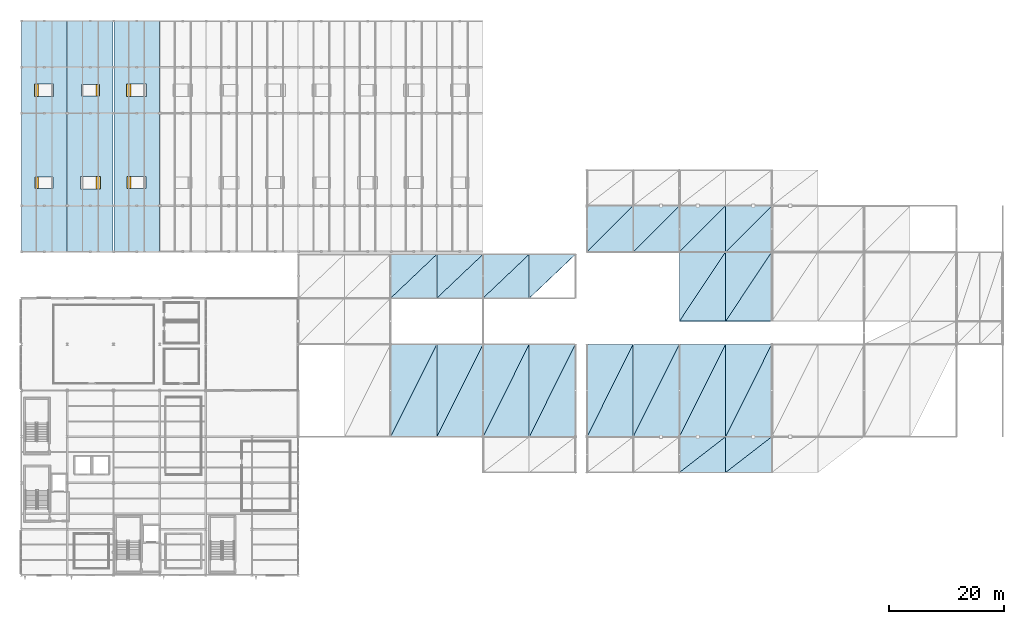
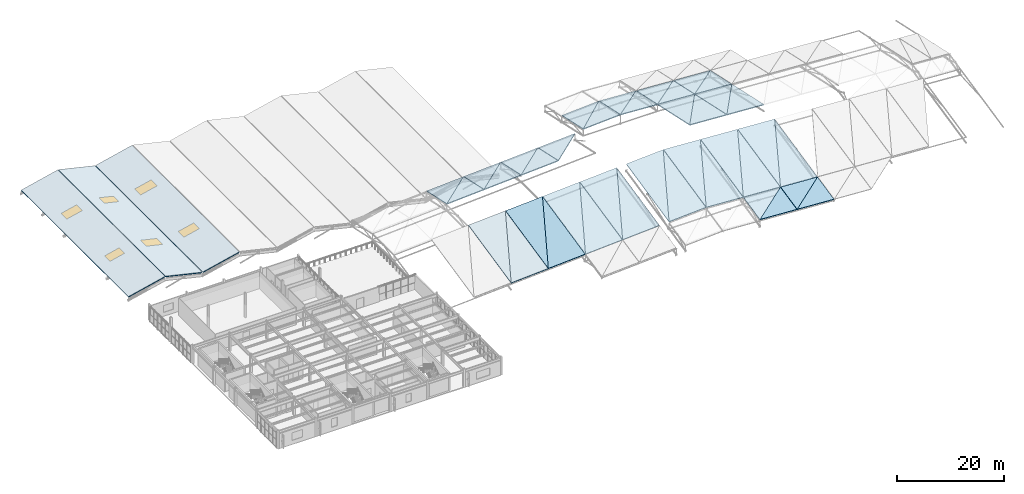
# One storey, part 37 of 67: 42 slabs, 6 windows, 6 openings.
"""IFC4 building model written with IfcOpenShell, lengths in metres."""

from ifc_helpers import new_model, si_unit, direction, frame, origin, origin_2d, place, context, subcontext, project, spatial, polyline, rectangle, outline, extrude, material, layer, layer_set, type_object, element, fill, save


model = new_model("IFC4")

# Units and contexts
model_context = context("Model", 3, precision=1e-05, world=origin(), true_north=direction((0.0, 1.0)))
body_context = subcontext(model_context, "Body", "Model", "MODEL_VIEW")
ifc_project = project(units=[si_unit("LENGTHUNIT", "METRE"), si_unit("AREAUNIT", "SQUARE_METRE"), si_unit("VOLUMEUNIT", "CUBIC_METRE"), si_unit("PLANEANGLEUNIT", "RADIAN"), si_unit("MASSUNIT", "GRAM", prefix="KILO")], contexts=[model_context])

# Site, building, storey
site_placement = place(None, origin())
site = spatial("IfcSite", under=ifc_project, at=site_placement, CompositionType="ELEMENT")
building_placement = place(site_placement, origin())
building = spatial("IfcBuilding", under=site, at=building_placement, Name="Drelvath Fold Interchange", CompositionType="ELEMENT")
storey_placement = place(building_placement, frame((0.0, 0.0, 15.60009765625)))
storey = spatial("IfcBuildingStorey", under=building, at=storey_placement, Name="L03", CompositionType="ELEMENT", Elevation=15.60009765625)

# Slab, openings, windows
ifc_material_1 = material(Name="Concrete f'c 35 MPa (5000 psi)", Category="concrete")
ifc_layer_1 = layer(ifc_material_1, 0.18994140625, Name="Concrete f'c 35 MPa (5000 psi)")
ifc_layer_set_1 = layer_set([ifc_layer_1], Name="Concrete f'c 35 MPa (5000 psi)")
slab_type_1 = type_object("IfcSlabType", Name="RF-FP1", PredefinedType="ROOF", material=ifc_layer_set_1)
slab_1_placement = place(storey_placement, frame((4.054931640625, 59.0, 0.5498046875), z_axis=(-0.228290377814, 0.0, 0.973593089231), x_axis=(0.973593089231, 0.0, 0.228290377814)))
slab_1 = element("IfcSlab", 1, at=slab_1_placement, inside=storey, type_object=slab_type_1, Name="Concourse folded-plate roof slab 1", PredefinedType="ROOF", context=body_context, shape_type="SweptSolid", body=[
    extrude(outline(polyline([(0.0, 0.0), (8.104142075397542, 0.0), (8.104142075397542, 40.00000000000001), (0.0, 40.00000000000001), (0.0, 0.0)])), origin(), (0.0, 0.0, -1.0), 0.18994140625),
])
opening_1_placement = place(slab_1_placement, frame((4.052001953125, 12.0, 0.010009765625)))
opening_1 = element("IfcOpeningElement", 2, at=opening_1_placement, cuts=slab_1, Name="Opening SK-01", PredefinedType="OPENING", context=body_context, shape_type="SweptSolid", body=[
    extrude(rectangle(XDim=3.199951171875, YDim=2.0, at=origin_2d()), origin(), (0.0, 0.0, -1.0), 0.2099609375),
])
opening_2_placement = place(slab_1_placement, frame((4.052001953125, 28.0, 0.010009765625)))
opening_2 = element("IfcOpeningElement", 3, at=opening_2_placement, cuts=slab_1, Name="Opening SK-02", PredefinedType="OPENING", context=body_context, shape_type="SweptSolid", body=[
    extrude(rectangle(XDim=3.39990234375, YDim=2.10009765625, at=origin_2d()), origin(), (0.0, 0.0, -1.0), 0.2099609375),
])
ifc_material_2 = material(Name="Fritted Laminated Skylight Glass", Category="glass")
window_type_1 = type_object("IfcWindowType", Name="SK-320x200", PartitioningType="DOUBLE_PANEL_HORIZONTAL", PredefinedType="SKYLIGHT", material=ifc_material_2)
window_1_placement = place(slab_1_placement, frame((4.052001953125, 12.0, 0.0)))
window_1 = element("IfcWindow", 4, at=window_1_placement, inside=storey, type_object=window_type_1, Name="Roof skylight SK-01", OverallHeight=2.0, OverallWidth=3.199951171875, PartitioningType="SINGLE_PANEL", PredefinedType="SKYLIGHT", context=body_context, shape_type="SweptSolid", body=[
    extrude(rectangle(XDim=3.199951171875, YDim=2.0, at=origin_2d()), origin(), (0.0, 0.0, -1.0), 0.050048828125),
])
fill(opening_1, window_1)
window_type_2 = type_object("IfcWindowType", Name="SK-340x210", PartitioningType="DOUBLE_PANEL_HORIZONTAL", PredefinedType="SKYLIGHT", material=ifc_material_2)
window_2_placement = place(slab_1_placement, frame((4.052001953125, 28.0, 0.0)))
window_2 = element("IfcWindow", 5, at=window_2_placement, inside=storey, type_object=window_type_2, Name="Roof skylight SK-02", OverallHeight=2.10009765625, OverallWidth=3.39990234375, PartitioningType="SINGLE_PANEL", PredefinedType="SKYLIGHT", context=body_context, shape_type="SweptSolid", body=[
    extrude(rectangle(XDim=3.39990234375, YDim=2.10009765625, at=origin_2d()), origin(), (0.0, 0.0, -1.0), 0.050048828125),
])
fill(opening_2, window_2)

slab_2_placement = place(storey_placement, frame((12.054931640625, 59.0, 2.39990234375), z_axis=(0.228290377814, 0.0, 0.973593089231), x_axis=(0.973593089231, 0.0, -0.228290377814)))
slab_2 = element("IfcSlab", 6, at=slab_2_placement, inside=storey, type_object=slab_type_1, Name="Concourse folded-plate roof slab 2", PredefinedType="ROOF", context=body_context, shape_type="SweptSolid", body=[
    extrude(outline(polyline([(0.0, 0.0), (8.104142075397542, 0.0), (8.104142075397542, 40.00000000000001), (0.0, 40.00000000000001), (0.0, 0.0)])), origin(), (0.0, 0.0, -1.0), 0.18994140625),
])
opening_3_placement = place(slab_2_placement, frame((4.052001953125, 12.0, 0.010009765625)))
opening_3 = element("IfcOpeningElement", 7, at=opening_3_placement, cuts=slab_2, Name="Opening SK-03", PredefinedType="OPENING", context=body_context, shape_type="SweptSolid", body=[
    extrude(rectangle(XDim=3.60009765625, YDim=2.199951171875, at=origin_2d()), origin(), (0.0, 0.0, -1.0), 0.2099609375),
])
opening_4_placement = place(slab_2_placement, frame((4.052001953125, 28.0, 0.010009765625)))
opening_4 = element("IfcOpeningElement", 8, at=opening_4_placement, cuts=slab_2, Name="Opening SK-04", PredefinedType="OPENING", context=body_context, shape_type="SweptSolid", body=[
    extrude(rectangle(XDim=3.199951171875, YDim=2.0, at=origin_2d()), origin(), (0.0, 0.0, -1.0), 0.2099609375),
])
window_3_placement = place(slab_2_placement, frame((4.052001953125, 28.0, 0.0)))
window_3 = element("IfcWindow", 9, at=window_3_placement, inside=storey, type_object=window_type_1, Name="Roof skylight SK-04", OverallHeight=2.0, OverallWidth=3.199951171875, PartitioningType="SINGLE_PANEL", PredefinedType="SKYLIGHT", context=body_context, shape_type="SweptSolid", body=[
    extrude(rectangle(XDim=3.199951171875, YDim=2.0, at=origin_2d()), origin(), (0.0, 0.0, -1.0), 0.050048828125),
])
fill(opening_4, window_3)
window_type_3 = type_object("IfcWindowType", Name="SK-360x220", PartitioningType="DOUBLE_PANEL_HORIZONTAL", PredefinedType="SKYLIGHT", material=ifc_material_2)
window_4_placement = place(slab_2_placement, frame((4.052001953125, 12.0, 0.0)))
window_4 = element("IfcWindow", 10, at=window_4_placement, inside=storey, type_object=window_type_3, Name="Roof skylight SK-03", OverallHeight=2.199951171875, OverallWidth=3.60009765625, PartitioningType="SINGLE_PANEL", PredefinedType="SKYLIGHT", context=body_context, shape_type="SweptSolid", body=[
    extrude(rectangle(XDim=3.60009765625, YDim=2.199951171875, at=origin_2d()), origin(), (0.0, 0.0, -1.0), 0.050048828125),
])
fill(opening_3, window_4)

slab_3_placement = place(storey_placement, frame((20.054931640625, 59.0, 0.5498046875), z_axis=(-0.228290377814, 0.0, 0.973593089231), x_axis=(0.973593089231, 0.0, 0.228290377814)))
slab_3 = element("IfcSlab", 11, at=slab_3_placement, inside=storey, type_object=slab_type_1, Name="Concourse folded-plate roof slab 3", PredefinedType="ROOF", context=body_context, shape_type="SweptSolid", body=[
    extrude(outline(polyline([(0.0, 0.0), (8.104142075397542, 0.0), (8.104142075397542, 40.00000000000001), (0.0, 40.00000000000001), (0.0, 0.0)])), origin(), (0.0, 0.0, -1.0), 0.18994140625),
])
opening_5_placement = place(slab_3_placement, frame((4.052001953125, 12.0, 0.010009765625)))
opening_5 = element("IfcOpeningElement", 12, at=opening_5_placement, cuts=slab_3, Name="Opening SK-05", PredefinedType="OPENING", context=body_context, shape_type="SweptSolid", body=[
    extrude(rectangle(XDim=3.39990234375, YDim=2.10009765625, at=origin_2d()), origin(), (0.0, 0.0, -1.0), 0.2099609375),
])
opening_6_placement = place(slab_3_placement, frame((4.052001953125, 28.0, 0.010009765625)))
opening_6 = element("IfcOpeningElement", 13, at=opening_6_placement, cuts=slab_3, Name="Opening SK-06", PredefinedType="OPENING", context=body_context, shape_type="SweptSolid", body=[
    extrude(rectangle(XDim=3.60009765625, YDim=2.199951171875, at=origin_2d()), origin(), (0.0, 0.0, -1.0), 0.2099609375),
])
window_5_placement = place(slab_3_placement, frame((4.052001953125, 12.0, 0.0)))
window_5 = element("IfcWindow", 14, at=window_5_placement, inside=storey, type_object=window_type_2, Name="Roof skylight SK-05", OverallHeight=2.10009765625, OverallWidth=3.39990234375, PartitioningType="SINGLE_PANEL", PredefinedType="SKYLIGHT", context=body_context, shape_type="SweptSolid", body=[
    extrude(rectangle(XDim=3.39990234375, YDim=2.10009765625, at=origin_2d()), origin(), (0.0, 0.0, -1.0), 0.050048828125),
])
fill(opening_5, window_5)
window_6_placement = place(slab_3_placement, frame((4.052001953125, 28.0, 0.0)))
window_6 = element("IfcWindow", 15, at=window_6_placement, inside=storey, type_object=window_type_3, Name="Roof skylight SK-06", OverallHeight=2.199951171875, OverallWidth=3.60009765625, PartitioningType="SINGLE_PANEL", PredefinedType="SKYLIGHT", context=body_context, shape_type="SweptSolid", body=[
    extrude(rectangle(XDim=3.60009765625, YDim=2.199951171875, at=origin_2d()), origin(), (0.0, 0.0, -1.0), 0.050048828125),
])
fill(opening_6, window_6)

# Slabs
ifc_layer_2 = layer(ifc_material_1, 0.169921875, Name="Concrete f'c 35 MPa (5000 psi)")
ifc_layer_set_2 = layer_set([ifc_layer_2], Name="Concrete f'c 35 MPa (5000 psi)")
slab_type_2 = type_object("IfcSlabType", Name="RF-SF1", PredefinedType="ROOF", material=ifc_layer_set_2)
slab_4_placement = place(storey_placement, frame((68.030029296875, 27.030029296875, 0.679931640625), z_axis=(-0.05872238266, -0.212626802128, 0.975367379397), x_axis=(0.998192566997, 0.0, 0.060096582196)))
element("IfcSlab", 16, at=slab_4_placement, inside=storey, type_object=slab_type_2, Name="Space frame canopy sloped roof facet 17", PredefinedType="ROOF", context=body_context, shape_type="SweptSolid", body=[
    extrude(outline(polyline([(0.0, 0.0), (7.954318303667255, 0.0), (8.163145123588297, 16.312962034805828), (0.0, 0.0)])), origin(), (0.0, 0.0, -1.0), 0.169921875),
])
slab_5_placement = place(storey_placement, frame((68.030029296875, 27.030029296875, 0.679931640625), z_axis=(-0.05872238266, -0.212626802128, 0.975367379397), x_axis=(0.435269745672, 0.873831919775, 0.216698002957)))
element("IfcSlab", 17, at=slab_5_placement, inside=storey, type_object=slab_type_2, Name="Space frame canopy sloped roof facet 18", PredefinedType="ROOF", context=body_context, shape_type="SweptSolid", body=[
    extrude(outline(polyline([(0.0, 0.0), (18.24142726482168, -2.7755575615628914e-17), (14.681823417524525, 7.1133958224158444), (0.0, 0.0)])), origin(), (0.0, 0.0, -1.0), 0.169921875),
])
slab_6_placement = place(storey_placement, frame((68.030029296875, 51.030029296875, 4.15478515625), z_axis=(-0.058722228054, 0.212638624378, 0.975364811419), x_axis=(0.998192566997, 0.0, 0.060096582196)))
element("IfcSlab", 18, at=slab_6_placement, inside=storey, type_object=slab_type_2, Name="Space frame canopy sloped roof facet 21", PredefinedType="ROOF", context=body_context, shape_type="SweptSolid", body=[
    extrude(outline(polyline([(0.0, 0.0), (7.954318303667255, 1.3877787807814457e-17), (7.855531612279046, 7.716508591388698), (0.0, 0.0)])), origin(), (0.0, 0.0, -1.0), 0.169921875),
])
slab_7_placement = place(storey_placement, frame((68.030029296875, 51.030029296875, 4.15478515625), z_axis=(-0.058604250562, 0.212519500811, 0.97539786938), x_axis=(0.721056792151, 0.684740113424, -0.105868217899)))
element("IfcSlab", 19, at=slab_7_placement, inside=storey, type_object=slab_type_2, Name="Space frame canopy sloped roof facet 22", PredefinedType="ROOF", context=body_context, shape_type="SweptSolid", body=[
    extrude(outline(polyline([(0.0, 0.0), (11.011534032662798, -4.996003610813204e-16), (5.336889868466109, 5.573926855666743), (0.0, 0.0)])), origin(), (0.0, 0.0, -1.0), 0.169921875),
])
slab_8_placement = place(storey_placement, frame((76.030029296875, 27.030029296875, 1.161865234375), z_axis=(-0.058602644906, -0.212642562108, 0.975371145149), x_axis=(0.99819992436, 0.0, 0.059974252881)))
element("IfcSlab", 20, at=slab_8_placement, inside=storey, type_object=slab_type_2, Name="Space frame canopy sloped roof facet 25", PredefinedType="ROOF", context=body_context, shape_type="SweptSolid", body=[
    extrude(outline(polyline([(0.0, 0.0), (7.954259675329594, -1.3877787807814457e-17), (8.162676060951982, 16.31301929028963), (0.0, 0.0)])), origin(), (0.0, 0.0, -1.0), 0.169921875),
])
slab_9_placement = place(storey_placement, frame((76.030029296875, 27.030029296875, 1.161865234375), z_axis=(-0.058602644906, -0.212642562108, 0.975371145149), x_axis=(0.43527353255, 0.873839522175, 0.21665973633)))
element("IfcSlab", 21, at=slab_9_placement, inside=storey, type_object=slab_type_2, Name="Space frame canopy sloped roof facet 26", PredefinedType="ROOF", context=body_context, shape_type="SweptSolid", body=[
    extrude(outline(polyline([(0.0, 0.0), (18.241268564477643, -3.608224830031759e-16), (14.681864523859161, 7.113430245542814), (0.0, 0.0)])), origin(), (0.0, 0.0, -1.0), 0.169921875),
])
slab_10_placement = place(storey_placement, frame((76.030029296875, 51.030029296875, 4.636962890625), z_axis=(-0.058602283194, 0.212670274283, 0.975365124884), x_axis=(0.99819992436, 0.0, 0.059974252881)))
element("IfcSlab", 22, at=slab_10_placement, inside=storey, type_object=slab_type_2, Name="Space frame canopy sloped roof facet 29", PredefinedType="ROOF", context=body_context, shape_type="SweptSolid", body=[
    extrude(outline(polyline([(0.0, 0.0), (7.954259675329594, 1.3877787807814457e-17), (7.8556594265744195, 7.716562987371231), (0.0, 0.0)])), origin(), (0.0, 0.0, -1.0), 0.169921875),
])
slab_11_placement = place(storey_placement, frame((76.030029296875, 51.030029296875, 4.636962890625), z_axis=(-0.058602283194, 0.212670274283, 0.975365124884), x_axis=(0.721048325396, 0.684732073105, -0.10597783025)))
element("IfcSlab", 23, at=slab_11_placement, inside=storey, type_object=slab_type_2, Name="Space frame canopy sloped roof facet 30", PredefinedType="ROOF", context=body_context, shape_type="SweptSolid", body=[
    extrude(outline(polyline([(0.0, 0.0), (11.011663333229688, 5.551115123125783e-16), (5.337138685226598, 5.5740485288325115), (0.0, 0.0)])), origin(), (0.0, 0.0, -1.0), 0.169921875),
])
slab_12_placement = place(storey_placement, frame((84.030029296875, 27.030029296875, 1.642822265625), z_axis=(-0.058602644906, -0.212642562108, 0.975371145149), x_axis=(0.99819992436, 0.0, 0.059974252881)))
element("IfcSlab", 24, at=slab_12_placement, inside=storey, type_object=slab_type_2, Name="Space frame canopy sloped roof facet 33", PredefinedType="ROOF", context=body_context, shape_type="SweptSolid", body=[
    extrude(outline(polyline([(0.0, 0.0), (7.954259675329594, -1.3877787807814457e-17), (8.162676060951982, 16.31301929028963), (0.0, 0.0)])), origin(), (0.0, 0.0, -1.0), 0.169921875),
])
slab_13_placement = place(storey_placement, frame((84.030029296875, 27.030029296875, 1.642822265625), z_axis=(-0.058602644906, -0.212642562108, 0.975371145149), x_axis=(0.43527353255, 0.873839522175, 0.21665973633)))
element("IfcSlab", 25, at=slab_13_placement, inside=storey, type_object=slab_type_2, Name="Space frame canopy sloped roof facet 34", PredefinedType="ROOF", context=body_context, shape_type="SweptSolid", body=[
    extrude(outline(polyline([(0.0, 0.0), (18.241268564477643, -3.608224830031759e-16), (14.681864523859161, 7.113430245542814), (0.0, 0.0)])), origin(), (0.0, 0.0, -1.0), 0.169921875),
])
slab_14_placement = place(storey_placement, frame((84.030029296875, 51.030029296875, 5.117919921875), z_axis=(-0.058602283194, 0.212670274283, 0.975365124884), x_axis=(0.99819992436, 0.0, 0.059974252881)))
element("IfcSlab", 26, at=slab_14_placement, inside=storey, type_object=slab_type_2, Name="Space frame canopy sloped roof facet 37", PredefinedType="ROOF", context=body_context, shape_type="SweptSolid", body=[
    extrude(outline(polyline([(0.0, 0.0), (7.954259675329594, 1.3877787807814457e-17), (7.8556594265744195, 7.716562987371231), (0.0, 0.0)])), origin(), (0.0, 0.0, -1.0), 0.169921875),
])
slab_15_placement = place(storey_placement, frame((84.030029296875, 51.030029296875, 5.117919921875), z_axis=(-0.058602283194, 0.212670274283, 0.975365124884), x_axis=(0.721048325396, 0.684732073105, -0.10597783025)))
element("IfcSlab", 27, at=slab_15_placement, inside=storey, type_object=slab_type_2, Name="Space frame canopy sloped roof facet 38", PredefinedType="ROOF", context=body_context, shape_type="SweptSolid", body=[
    extrude(outline(polyline([(0.0, 0.0), (11.011663333229688, 5.551115123125783e-16), (5.337138685226598, 5.5740485288325115), (0.0, 0.0)])), origin(), (0.0, 0.0, -1.0), 0.169921875),
])
slab_16_placement = place(storey_placement, frame((92.030029296875, 27.030029296875, 2.1240234375), z_axis=(-0.058572756706, -0.212642935746, 0.975372858987), x_axis=(0.998201761375, 0.0, 0.05994367013)))
element("IfcSlab", 28, at=slab_16_placement, inside=storey, type_object=slab_type_2, Name="Space frame canopy sloped roof facet 41", PredefinedType="ROOF", context=body_context, shape_type="SweptSolid", body=[
    extrude(outline(polyline([(0.0, 0.0), (7.954245036911256, 0.0), (8.162555144486694, 16.313020647759856), (0.0, 0.0)])), origin(), (0.0, 0.0, -1.0), 0.169921875),
])
slab_17_placement = place(storey_placement, frame((92.030029296875, 27.030029296875, 2.1240234375), z_axis=(-0.058602831062, -0.212628298479, 0.975374243497), x_axis=(0.435274794708, 0.87384205604, 0.216646980565)))
element("IfcSlab", 29, at=slab_17_placement, inside=storey, type_object=slab_type_2, Name="Space frame canopy sloped roof facet 42", PredefinedType="ROOF", context=body_context, shape_type="SweptSolid", body=[
    extrude(outline(polyline([(0.0, 0.0), (18.2412156705913, 1.3600232051658168e-15), (14.6818076936542, 7.113428275894193), (0.0, 0.0)])), origin(), (0.0, 0.0, -1.0), 0.169921875),
])
slab_18_placement = place(storey_placement, frame((92.030029296875, 51.030029296875, 5.598876953125), z_axis=(-0.058721833682, 0.212668777665, 0.975358260977), x_axis=(0.721055099485, 0.684738506011, -0.105890140678)))
element("IfcSlab", 30, at=slab_18_placement, inside=storey, type_object=slab_type_2, Name="Space frame canopy sloped roof facet 46", PredefinedType="ROOF", context=body_context, shape_type="SweptSolid", body=[
    extrude(outline(polyline([(0.0, 0.0), (11.011559882071808, -3.3306690738754696e-16), (5.337043024162573, 5.574140122508568), (0.0, 0.0)])), origin(), (0.0, 0.0, -1.0), 0.169921875),
])
slab_19_placement = place(storey_placement, frame((102.030029296875, 27.030029296875, 2.724853515625), z_axis=(-0.058722196126, -0.212641065667, 0.975364281115), x_axis=(0.998192566997, 0.0, 0.060096582196)))
element("IfcSlab", 31, at=slab_19_placement, inside=storey, type_object=slab_type_2, Name="Space frame canopy sloped roof facet 49", PredefinedType="ROOF", context=body_context, shape_type="SweptSolid", body=[
    extrude(outline(polyline([(0.0, 0.0), (7.954318303667255, 0.0), (8.163159795605434, 16.313013853558836), (0.0, 0.0)])), origin(), (0.0, 0.0, -1.0), 0.169921875),
])
slab_20_placement = place(storey_placement, frame((102.030029296875, 27.030029296875, 2.724853515625), z_axis=(-0.058722196126, -0.212641065667, 0.975364281115), x_axis=(0.435268483245, 0.873829385372, 0.216710758278)))
element("IfcSlab", 32, at=slab_20_placement, inside=storey, type_object=slab_type_2, Name="Space frame canopy sloped roof facet 50", PredefinedType="ROOF", context=body_context, shape_type="SweptSolid", body=[
    extrude(outline(polyline([(0.0, 0.0), (18.241480171164607, -2.7755575615628914e-17), (14.681880250068982, 7.113397787119172), (0.0, 0.0)])), origin(), (0.0, 0.0, -1.0), 0.169921875),
])
slab_21_placement = place(storey_placement, frame((102.030029296875, 59.030029296875, 4.455810546875), z_axis=(-0.05872226523, 0.212635781656, 0.975365428917), x_axis=(0.998192566997, 0.0, 0.060096582196)))
element("IfcSlab", 33, at=slab_21_placement, inside=storey, type_object=slab_type_2, Name="Space frame canopy sloped roof facet 55", PredefinedType="ROOF", context=body_context, shape_type="SweptSolid", body=[
    extrude(outline(polyline([(0.0, 0.0), (7.954318303667255, 1.3877787807814457e-17), (7.850293702160883, 8.125765235410046), (0.0, 0.0)])), origin(), (0.0, 0.0, -1.0), 0.169921875),
])
slab_22_placement = place(storey_placement, frame((102.030029296875, 59.030029296875, 4.455810546875), z_axis=(-0.05872226523, 0.212635781656, 0.975365428917), x_axis=(0.702745527301, 0.702745527301, -0.110893857884)))
element("IfcSlab", 34, at=slab_22_placement, inside=storey, type_object=slab_type_2, Name="Space frame canopy sloped roof facet 56", PredefinedType="ROOF", context=body_context, shape_type="SweptSolid", body=[
    extrude(outline(polyline([(0.0, 0.0), (11.298458827255393, 2.220446049250313e-16), (5.771710813302517, 5.720684929824737), (0.0, 0.0)])), origin(), (0.0, 0.0, -1.0), 0.169921875),
])
slab_23_placement = place(storey_placement, frame((110.030029296875, 27.030029296875, 3.202880859375), z_axis=(0.058722196126, -0.212641065667, 0.975364281115), x_axis=(0.998192566997, 0.0, -0.060096582196)))
element("IfcSlab", 35, at=slab_23_placement, inside=storey, type_object=slab_type_2, Name="Space frame canopy sloped roof facet 61", PredefinedType="ROOF", context=body_context, shape_type="SweptSolid", body=[
    extrude(outline(polyline([(0.0, 0.0), (7.954318303667255, 0.0), (7.745476811729075, 16.313013853558836), (0.0, 0.0)])), origin(), (0.0, 0.0, -1.0), 0.169921875),
])
slab_24_placement = place(storey_placement, frame((110.030029296875, 27.030029296875, 3.202880859375), z_axis=(0.058722196126, -0.212641065667, 0.975364281115), x_axis=(0.439680645631, 0.882687084228, 0.165965180671)))
element("IfcSlab", 36, at=slab_24_placement, inside=storey, type_object=slab_type_2, Name="Space frame canopy sloped roof facet 62", PredefinedType="ROOF", context=body_context, shape_type="SweptSolid", body=[
    extrude(outline(polyline([(0.0, 0.0), (18.058428282312818, -7.771561172376096e-16), (14.64672561301073, 7.185503779995731), (0.0, 0.0)])), origin(), (0.0, 0.0, -1.0), 0.169921875),
])
slab_25_placement = place(storey_placement, frame((110.030029296875, 59.030029296875, 4.933837890625), z_axis=(0.05872226523, 0.212635781656, 0.975365428917), x_axis=(0.998192566997, 0.0, -0.060096582196)))
element("IfcSlab", 37, at=slab_25_placement, inside=storey, type_object=slab_type_2, Name="Space frame canopy sloped roof facet 67", PredefinedType="ROOF", context=body_context, shape_type="SweptSolid", body=[
    extrude(outline(polyline([(0.0, 0.0), (7.954318303667255, -1.3877787807814457e-17), (8.058342905173626, 8.125765235410046), (0.0, 0.0)])), origin(), (0.0, 0.0, -1.0), 0.169921875),
])
slab_26_placement = place(storey_placement, frame((110.030029296875, 59.030029296875, 4.933837890625), z_axis=(0.05872226523, 0.212635781656, 0.975365428917), x_axis=(0.693808721866, 0.693808721866, -0.193025684627)))
element("IfcSlab", 38, at=slab_26_placement, inside=storey, type_object=slab_type_2, Name="Space frame canopy sloped roof facet 68", PredefinedType="ROOF", context=body_context, shape_type="SweptSolid", body=[
    extrude(outline(polyline([(0.0, 0.0), (11.443991918834993, 8.326672684688674e-17), (5.842919764777142, 5.647935056380665), (0.0, 0.0)])), origin(), (0.0, 0.0, -1.0), 0.169921875),
])
slab_27_placement = place(storey_placement, frame((118.030029296875, 20.830078125, 1.369873046875), z_axis=(0.058603506241, -0.212576556588, 0.975385481051), x_axis=(0.99819992436, 0.0, -0.059974252881)))
element("IfcSlab", 39, at=slab_27_placement, inside=storey, type_object=slab_type_2, Name="Space frame canopy sloped roof facet 71", PredefinedType="ROOF", context=body_context, shape_type="SweptSolid", body=[
    extrude(outline(polyline([(0.0, 0.0), (7.954259675329594, 1.3877787807814457e-17), (7.874006042507035, 6.283505779125815), (0.0, 0.0)])), origin(), (0.0, 0.0, -1.0), 0.169921875),
])
slab_28_placement = place(storey_placement, frame((118.030029296875, 20.830078125, 1.369873046875), z_axis=(0.058721122025, -0.212723178899, 0.975346440496), x_axis=(0.788173626224, 0.609488301024, 0.085477165602)))
element("IfcSlab", 40, at=slab_28_placement, inside=storey, type_object=slab_type_2, Name="Space frame canopy sloped roof facet 72", PredefinedType="ROOF", context=body_context, shape_type="SweptSolid", body=[
    extrude(outline(polyline([(0.0, 0.0), (10.073848124413272, 3.0531133177191805e-16), (3.856656136665832, 4.961623067459371), (0.0, 0.0)])), origin(), (0.0, 0.0, -1.0), 0.169921875),
])
slab_29_placement = place(storey_placement, frame((118.030029296875, 27.030029296875, 2.721923828125), z_axis=(0.058722196126, -0.212641065667, 0.975364281115), x_axis=(0.998192566997, 0.0, -0.060096582196)))
element("IfcSlab", 41, at=slab_29_placement, inside=storey, type_object=slab_type_2, Name="Space frame canopy sloped roof facet 73", PredefinedType="ROOF", context=body_context, shape_type="SweptSolid", body=[
    extrude(outline(polyline([(0.0, 0.0), (7.954318303667255, 0.0), (7.745476811729075, 16.313013853558836), (0.0, 0.0)])), origin(), (0.0, 0.0, -1.0), 0.169921875),
])
slab_30_placement = place(storey_placement, frame((118.030029296875, 27.030029296875, 2.721923828125), z_axis=(0.058722196126, -0.212641065667, 0.975364281115), x_axis=(0.439680645631, 0.882687084228, 0.165965180671)))
element("IfcSlab", 42, at=slab_30_placement, inside=storey, type_object=slab_type_2, Name="Space frame canopy sloped roof facet 74", PredefinedType="ROOF", context=body_context, shape_type="SweptSolid", body=[
    extrude(outline(polyline([(0.0, 0.0), (18.058428282312818, -7.771561172376096e-16), (14.64672561301073, 7.185503779995731), (0.0, 0.0)])), origin(), (0.0, 0.0, -1.0), 0.169921875),
])
slab_31_placement = place(storey_placement, frame((118.030029296875, 47.030029296875, 7.06884765625), z_axis=(0.058722219103, 0.212639308762, 0.975364662756), x_axis=(0.998192566997, 0.0, -0.060096582196)))
element("IfcSlab", 43, at=slab_31_placement, inside=storey, type_object=slab_type_2, Name="Space frame canopy sloped roof facet 77", PredefinedType="ROOF", context=body_context, shape_type="SweptSolid", body=[
    extrude(outline(polyline([(0.0, 0.0), (7.954318303667255, 0.0), (8.11075135038953, 12.219389544444788), (0.0, 0.0)])), origin(), (0.0, 0.0, -1.0), 0.169921875),
])
slab_32_placement = place(storey_placement, frame((118.030029296875, 47.030029296875, 7.06884765625), z_axis=(0.058722219103, 0.212639308762, 0.975364662756), x_axis=(0.541376431709, 0.814112163125, -0.210078425932)))
element("IfcSlab", 44, at=slab_32_placement, inside=storey, type_object=slab_type_2, Name="Space frame canopy sloped roof facet 78", PredefinedType="ROOF", context=body_context, shape_type="SweptSolid", body=[
    extrude(outline(polyline([(0.0, 0.0), (14.666211791281762, 7.494005416219807e-16), (10.267291412861468, 6.627267851865849), (0.0, 0.0)])), origin(), (0.0, 0.0, -1.0), 0.169921875),
])
slab_33_placement = place(storey_placement, frame((118.030029296875, 59.030029296875, 4.452880859375), z_axis=(0.05872226523, 0.212635781656, 0.975365428917), x_axis=(0.998192566997, 0.0, -0.060096582196)))
element("IfcSlab", 45, at=slab_33_placement, inside=storey, type_object=slab_type_2, Name="Space frame canopy sloped roof facet 79", PredefinedType="ROOF", context=body_context, shape_type="SweptSolid", body=[
    extrude(outline(polyline([(0.0, 0.0), (7.954318303667255, -1.3877787807814457e-17), (8.058342905173626, 8.125765235410046), (0.0, 0.0)])), origin(), (0.0, 0.0, -1.0), 0.169921875),
])
slab_34_placement = place(storey_placement, frame((118.030029296875, 59.030029296875, 4.452880859375), z_axis=(0.05872226523, 0.212635781656, 0.975365428917), x_axis=(0.693808721866, 0.693808721866, -0.193025684627)))
element("IfcSlab", 46, at=slab_34_placement, inside=storey, type_object=slab_type_2, Name="Space frame canopy sloped roof facet 80", PredefinedType="ROOF", context=body_context, shape_type="SweptSolid", body=[
    extrude(outline(polyline([(0.0, 0.0), (11.443991918834993, 8.326672684688674e-17), (5.842919764777142, 5.647935056380665), (0.0, 0.0)])), origin(), (0.0, 0.0, -1.0), 0.169921875),
])
slab_35_placement = place(storey_placement, frame((126.030029296875, 20.830078125, 0.888916015625), z_axis=(0.058721122025, -0.212723178899, 0.975346440496), x_axis=(0.998192566997, 0.0, -0.060096582196)))
element("IfcSlab", 47, at=slab_35_placement, inside=storey, type_object=slab_type_2, Name="Space frame canopy sloped roof facet 83", PredefinedType="ROOF", context=body_context, shape_type="SweptSolid", body=[
    extrude(outline(polyline([(0.0, 0.0), (7.954318303667255, 0.0), (7.873842289666909, 6.283710976103037), (0.0, 0.0)])), origin(), (0.0, 0.0, -1.0), 0.169921875),
])
slab_36_placement = place(storey_placement, frame((126.030029296875, 20.830078125, 0.888916015625), z_axis=(0.058574100487, -0.212539897953, 0.975395236061), x_axis=(0.788173626224, 0.609488301024, 0.085477165602)))
element("IfcSlab", 48, at=slab_36_placement, inside=storey, type_object=slab_type_2, Name="Space frame canopy sloped roof facet 84", PredefinedType="ROOF", context=body_context, shape_type="SweptSolid", body=[
    extrude(outline(polyline([(0.0, 0.0), (10.073848124413272, 3.608224830031759e-16), (3.8565517944226664, 4.961374855049018), (0.0, 0.0)])), origin(), (0.0, 0.0, -1.0), 0.169921875),
])
slab_37_placement = place(storey_placement, frame((126.030029296875, 27.030029296875, 2.239990234375), z_axis=(0.058602831062, -0.212628298479, 0.975374243497), x_axis=(0.99819992436, 0.0, -0.059974252881)))
element("IfcSlab", 49, at=slab_37_placement, inside=storey, type_object=slab_type_2, Name="Space frame canopy sloped roof facet 85", PredefinedType="ROOF", context=body_context, shape_type="SweptSolid", body=[
    extrude(outline(polyline([(0.0, 0.0), (7.954259675329594, 1.3877787807814457e-17), (7.745857931858788, 16.31296747079001), (0.0, 0.0)])), origin(), (0.0, 0.0, -1.0), 0.169921875),
])
slab_38_placement = place(storey_placement, frame((126.030029296875, 27.030029296875, 2.239990234375), z_axis=(0.058602831062, -0.212628298479, 0.975374243497), x_axis=(0.439677685681, 0.882681141938, 0.166004621563)))
element("IfcSlab", 50, at=slab_38_placement, inside=storey, type_object=slab_type_2, Name="Space frame canopy sloped roof facet 86", PredefinedType="ROOF", context=body_context, shape_type="SweptSolid", body=[
    extrude(outline(polyline([(0.0, 0.0), (18.05854985328536, -6.106226635438361e-16), (14.646727425749344, 7.185382015281909), (0.0, 0.0)])), origin(), (0.0, 0.0, -1.0), 0.169921875),
])
slab_39_placement = place(storey_placement, frame((126.030029296875, 47.030029296875, 6.5869140625), z_axis=(0.058602667836, 0.212640805192, 0.975371526799), x_axis=(0.99819992436, 0.0, -0.059974252881)))
element("IfcSlab", 51, at=slab_39_placement, inside=storey, type_object=slab_type_2, Name="Space frame canopy sloped roof facet 89", PredefinedType="ROOF", context=body_context, shape_type="SweptSolid", body=[
    extrude(outline(polyline([(0.0, 0.0), (7.954259675329594, -1.3877787807814457e-17), (8.110374295500025, 12.219393616802861), (0.0, 0.0)])), origin(), (0.0, 0.0, -1.0), 0.169921875),
])
slab_40_placement = place(storey_placement, frame((126.030029296875, 47.030029296875, 6.5869140625), z_axis=(0.058602667836, 0.212640805192, 0.975371526799), x_axis=(0.541384003579, 0.814123549568, -0.210014777355)))
element("IfcSlab", 52, at=slab_40_placement, inside=storey, type_object=slab_type_2, Name="Space frame canopy sloped roof facet 90", PredefinedType="ROOF", context=body_context, shape_type="SweptSolid", body=[
    extrude(outline(polyline([(0.0, 0.0), (14.666006667647126, 4.440892098500626e-16), (10.267261687335782, 6.627313903895017), (0.0, 0.0)])), origin(), (0.0, 0.0, -1.0), 0.169921875),
])
slab_41_placement = place(storey_placement, frame((126.030029296875, 59.030029296875, 3.970947265625), z_axis=(0.05860271387, 0.212637278064, 0.975372292976), x_axis=(0.99819992436, 0.0, -0.059974252881)))
element("IfcSlab", 53, at=slab_41_placement, inside=storey, type_object=slab_type_2, Name="Space frame canopy sloped roof facet 91", PredefinedType="ROOF", context=body_context, shape_type="SweptSolid", body=[
    extrude(outline(polyline([(0.0, 0.0), (7.954259675329594, 0.0), (8.058072530048067, 8.125767943395397), (0.0, 0.0)])), origin(), (0.0, 0.0, -1.0), 0.169921875),
])
slab_42_placement = place(storey_placement, frame((126.030029296875, 59.030029296875, 3.970947265625), z_axis=(0.05860271387, 0.212637278064, 0.975372292976), x_axis=(0.693820147809, 0.693820147809, -0.192943527975)))
element("IfcSlab", 54, at=slab_42_placement, inside=storey, type_object=slab_type_2, Name="Space frame canopy sloped roof facet 92", PredefinedType="ROOF", context=body_context, shape_type="SweptSolid", body=[
    extrude(outline(polyline([(0.0, 0.0), (11.443803457305071, -3.3306690738754696e-16), (5.842868276464715, 5.6479883217477775), (0.0, 0.0)])), origin(), (0.0, 0.0, -1.0), 0.169921875),
])

save(model, "model.ifc")
